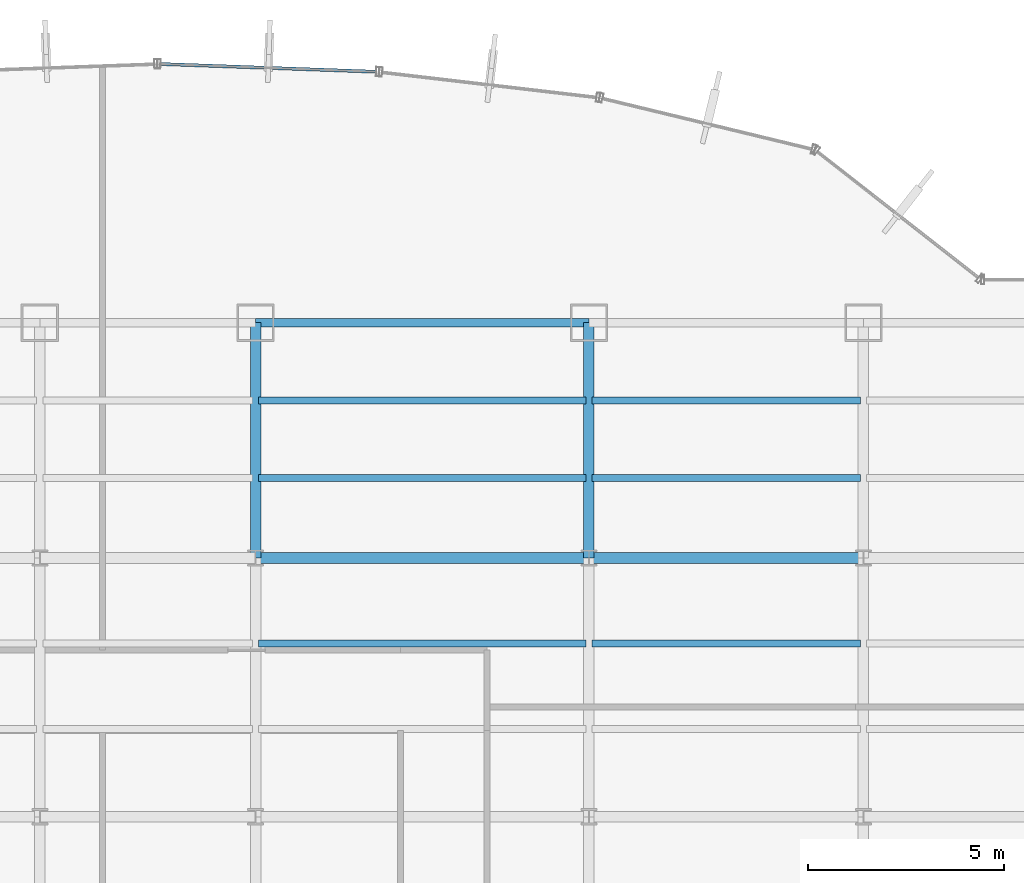
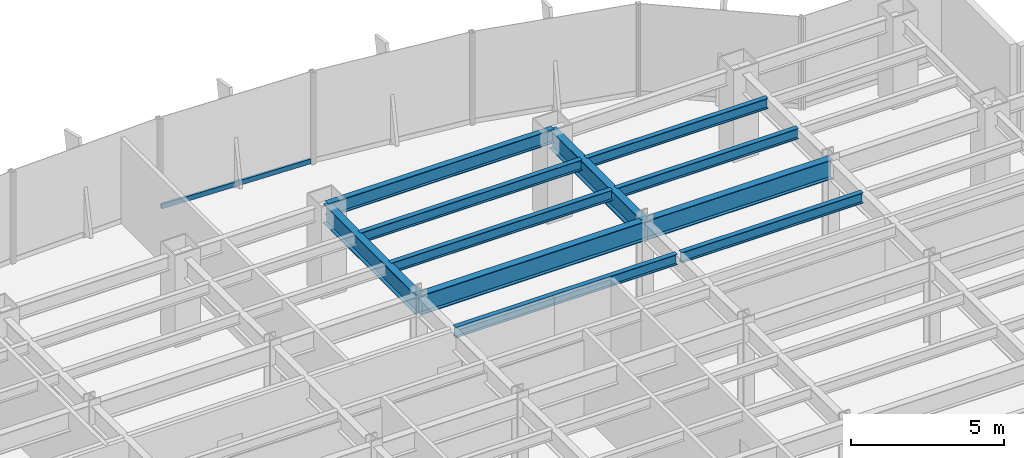
# One storey, part 13 of 22: 11 beams, 1 member, 1 element without a shape of its own.
"""IFC4 building model written with IfcOpenShell, lengths in metres."""

from ifc_helpers import new_model, si_unit, derived_unit, direction, frame, origin, origin_2d, place, context, subcontext, project, spatial, hollow_rectangle, i_section, extrude, source, transform, mapped, material, material_profile, profile_set, type_object, element, aggregate, save


model = new_model("IFC4")

# Units and contexts
model_context = context("Model", 3, precision=1e-05, world=origin(), true_north=direction((0.0, 1.0)))
body_context = subcontext(model_context, "Body", "Model", "MODEL_VIEW")
ifc_project = project(units=[si_unit("LENGTHUNIT", "METRE"), si_unit("AREAUNIT", "SQUARE_METRE"), si_unit("VOLUMEUNIT", "CUBIC_METRE"), si_unit("PLANEANGLEUNIT", "RADIAN"), si_unit("MASSUNIT", "GRAM", prefix="KILO"), derived_unit("THERMALTRANSMITTANCEUNIT", [(si_unit("POWERUNIT", "WATT"), 1), (si_unit("LENGTHUNIT", "METRE"), -2), (si_unit("THERMODYNAMICTEMPERATUREUNIT", "KELVIN"), -1)])], contexts=[model_context])

# Site, building, storey
site_placement = place(None, origin())
site = spatial("IfcSite", under=ifc_project, at=site_placement, CompositionType="ELEMENT")
building_placement = place(site_placement, origin())
building = spatial("IfcBuilding", under=site, at=building_placement, Name="Skarnbrae Concourse Arena and Tower", CompositionType="ELEMENT")
storey_placement = place(building_placement, frame((0.0, 0.0, 65.35009765625)))
storey = spatial("IfcBuildingStorey", under=building, at=storey_placement, Name="L15", CompositionType="ELEMENT", Elevation=65.35009765625)

# Beams
ifc_material_1 = material(Name="Steel CSA G40.21 350W", Category="steel")
ifc_material_profile_1 = material_profile(ifc_material_1, i_section(OverallWidth=0.26806640625, OverallDepth=0.77001953125, WebThickness=0.015625, FlangeThickness=0.025390625, at=origin_2d()), Name="W760X196")
ifc_profile_set_1 = profile_set([ifc_material_profile_1], Name="Steel CSA G40.21 350W")
beam_type_1 = type_object("IfcBeamType", Name="BM-GIRD-W760X196", PredefinedType="BEAM", material=ifc_profile_set_1)
shared_shape_1 = source(origin(), body_context, "Body", "SweptSolid", [
    extrude(i_section(OverallWidth=0.26806640625, OverallDepth=0.77001953125, WebThickness=0.015625, FlangeThickness=0.025390625, at=origin_2d()), origin(), (0.0, 0.0, 1.0), 7.0),
])
beam_1_placement = place(storey_placement, frame((42.0, 34.39990234375, 3.014892578125), z_axis=(1.0, 0.0, 0.0), x_axis=(0.0, 1.0, 0.0)))
element("IfcBeam", 1, at=beam_1_placement, inside=storey, type_object=beam_type_1, Name="L15 Primary E-W girder Y34.4-7", PredefinedType="BEAM", context=body_context, shape_type="MappedRepresentation", body=[
    mapped(shared_shape_1, transform((0.0, 0.0, 0.0))),
])
shared_shape_2 = source(origin(), body_context, "Body", "SweptSolid", [
    extrude(i_section(OverallWidth=0.26806640625, OverallDepth=0.77001953125, WebThickness=0.015625, FlangeThickness=0.025390625, at=origin_2d()), origin(), (0.0, 0.0, 1.0), 8.5),
])
beam_2_placement = place(storey_placement, frame((33.5, 34.39990234375, 3.014892578125), z_axis=(1.0, 0.0, 0.0), x_axis=(0.0, 1.0, 0.0)))
element("IfcBeam", 2, at=beam_2_placement, inside=storey, type_object=beam_type_1, Name="L15 Primary E-W girder Y34.4-6", PredefinedType="BEAM", context=body_context, shape_type="MappedRepresentation", body=[
    mapped(shared_shape_2, transform((0.0, 0.0, 0.0))),
])
shared_shape_3 = source(origin(), body_context, "Body", "SweptSolid", [
    extrude(i_section(OverallWidth=0.26806640625, OverallDepth=0.77001953125, WebThickness=0.015625, FlangeThickness=0.025390625, at=origin_2d()), origin(), (0.0, 0.0, 1.0), 6.0),
])
for number, where, z_axis, x_axis, name in (
    (3, (33.5, 34.39990234375, 3.014892578125), (0.0, 1.0, 0.0), (-1.0, 0.0, 0.0), "L15 Primary N-S girder X33.5-4"),
    (4, (42.0, 34.39990234375, 3.014892578125), (0.0, 1.0, 0.0), (-1.0, 0.0, 0.0), "L15 Primary N-S girder X42.0-5"),
):
    element("IfcBeam", number, at=place(storey_placement, frame(where, z_axis=z_axis, x_axis=x_axis)), inside=storey, type_object=beam_type_1, Name=name, PredefinedType="BEAM", context=body_context, shape_type="MappedRepresentation", body=[
        mapped(shared_shape_3, transform((0.0, 0.0, 0.0))),
    ])
ifc_material_profile_2 = material_profile(ifc_material_1, i_section(OverallWidth=0.214111328125, OverallDepth=0.549072265625, WebThickness=0.0146484375, FlangeThickness=0.023681640625, at=origin_2d()), Name="W530X138")
ifc_profile_set_2 = profile_set([ifc_material_profile_2], Name="Steel CSA G40.21 350W")
beam_type_2 = type_object("IfcBeamType", Name="BM-SPAN-W530X138", PredefinedType="SPANDREL", material=ifc_profile_set_2)
shared_shape_4 = source(origin(), body_context, "Body", "SweptSolid", [
    extrude(i_section(OverallWidth=0.214111328125, OverallDepth=0.549072265625, WebThickness=0.0146484375, FlangeThickness=0.023681640625, at=origin_2d()), origin(), (0.0, 0.0, 1.0), 8.5),
])
beam_3_placement = place(storey_placement, frame((33.5, 40.39990234375, 3.12548828125), z_axis=(1.0, 0.0, 0.0), x_axis=(0.0, 1.0, 0.0)))
element("IfcBeam", 5, at=beam_3_placement, inside=storey, type_object=beam_type_2, Name="L15 Perimeter spandrel Y40.4-5", PredefinedType="SPANDREL", context=body_context, shape_type="MappedRepresentation", body=[
    mapped(shared_shape_4, transform((0.0, 0.0, 0.0))),
])
ifc_material_profile_3 = material_profile(ifc_material_1, i_section(OverallWidth=0.180908203125, OverallDepth=0.4169921875, WebThickness=0.010986328125, FlangeThickness=0.018310546875, at=origin_2d()), Name="W410X85")
ifc_profile_set_3 = profile_set([ifc_material_profile_3], Name="Steel CSA G40.21 350W")
beam_type_3 = type_object("IfcBeamType", Name="BM-JOIST-W410X85", PredefinedType="JOIST", material=ifc_profile_set_3)
shared_shape_5 = source(origin(), body_context, "Body", "SweptSolid", [
    extrude(i_section(OverallWidth=0.180908203125, OverallDepth=0.4169921875, WebThickness=0.010986328125, FlangeThickness=0.018310546875, at=origin_2d()), origin(), (0.0, 0.0, 1.0), 8.33984375),
])
for number, where, z_axis, x_axis, name in (
    (6, (33.580078125, 32.221923828125, 3.19140625), (1.0, 0.0, 0.0), (0.0, 1.0, 0.0), "L15 Secondary floor joist 3.2.6"),
    (7, (33.580078125, 36.43994140625, 3.19140625), (1.0, 0.0, 0.0), (0.0, 1.0, 0.0), "L15 Secondary floor joist 4.1.5"),
    (8, (33.580078125, 38.419921875, 3.19140625), (1.0, 0.0, 0.0), (0.0, 1.0, 0.0), "L15 Secondary floor joist 4.2.5"),
):
    element("IfcBeam", number, at=place(storey_placement, frame(where, z_axis=z_axis, x_axis=x_axis)), inside=storey, type_object=beam_type_3, Name=name, PredefinedType="JOIST", context=body_context, shape_type="MappedRepresentation", body=[
        mapped(shared_shape_5, transform((0.0, 0.0, 0.0))),
    ])
shared_shape_6 = source(origin(), body_context, "Body", "SweptSolid", [
    extrude(i_section(OverallWidth=0.180908203125, OverallDepth=0.4169921875, WebThickness=0.010986328125, FlangeThickness=0.018310546875, at=origin_2d()), origin(), (0.0, 0.0, 1.0), 6.83984375),
])
for number, where, z_axis, x_axis, name in (
    (9, (42.080078125, 32.221923828125, 3.19140625), (1.0, 0.0, 0.0), (0.0, 1.0, 0.0), "L15 Secondary floor joist 3.2.7"),
    (10, (42.080078125, 36.43994140625, 3.19140625), (1.0, 0.0, 0.0), (0.0, 1.0, 0.0), "L15 Secondary floor joist 4.1.6"),
    (11, (42.080078125, 38.419921875, 3.19140625), (1.0, 0.0, 0.0), (0.0, 1.0, 0.0), "L15 Secondary floor joist 4.2.6"),
):
    element("IfcBeam", number, at=place(storey_placement, frame(where, z_axis=z_axis, x_axis=x_axis)), inside=storey, type_object=beam_type_3, Name=name, PredefinedType="JOIST", context=body_context, shape_type="MappedRepresentation", body=[
        mapped(shared_shape_6, transform((0.0, 0.0, 0.0))),
    ])

# Curtain wall, member
ifc_material_2 = material(Name="Bronze anodised aluminium 6063-T6", Category="aluminium")
curtain_wall_type = type_object("IfcCurtainWallType", Name="CW-SYS-02-LOWZONE", PredefinedType="USERDEFINED", material=ifc_material_2)
curtain_wall_placement = place(storey_placement, origin())
curtain_wall = element("IfcCurtainWall", 12, at=curtain_wall_placement, inside=storey, type_object=curtain_wall_type, Name="L15 Unitised curtain wall CW-L15-E11", ObjectType="UNITISED CURTAIN WALL", PredefinedType="USERDEFINED")
ifc_material_profile_4 = material_profile(ifc_material_2, hollow_rectangle(XDim=0.080078125, YDim=0.18994140625, WallThickness=0.0048828125, at=origin_2d()), Name="ALU-TRAN-80X190")
ifc_profile_set_4 = profile_set([ifc_material_profile_4], Name="Bronze anodised aluminium 6063-T6")
member_type = type_object("IfcMemberType", Name="CWT-CW-02", PredefinedType="USERDEFINED", material=ifc_profile_set_4)
shared_shape_7 = source(origin(), body_context, "Body", "SweptSolid", [
    extrude(hollow_rectangle(XDim=0.080078125, YDim=0.18994140625, WallThickness=0.0048828125, at=origin_2d()), origin(), (0.0, 0.0, 1.0), 5.497802734375),
])
member_placement = place(storey_placement, frame((36.573974609375, 46.7998046875, 0.094970703125), z_axis=(-0.999356047798, 0.03588160712, 0.0), x_axis=(-0.03588160712, -0.999356047798, 0.0)))
member = element("IfcMember", 13, at=member_placement, type_object=member_type, Name="CW-L15-E11 Transom 1", ObjectType="TRANSOM", PredefinedType="USERDEFINED", context=body_context, shape_type="MappedRepresentation", body=[
    mapped(shared_shape_7, transform((0.0, 0.0, 0.0))),
])
aggregate(curtain_wall, [member])

save(model, "model.ifc")
